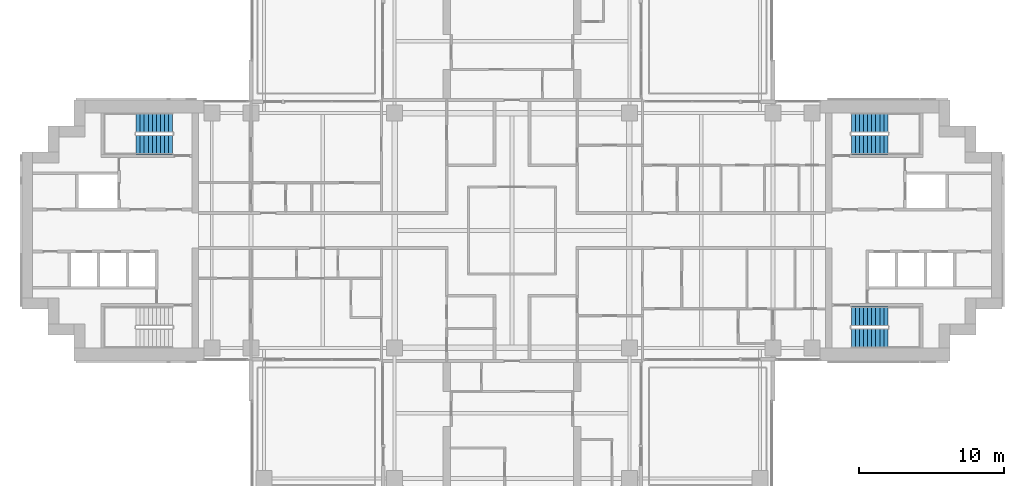
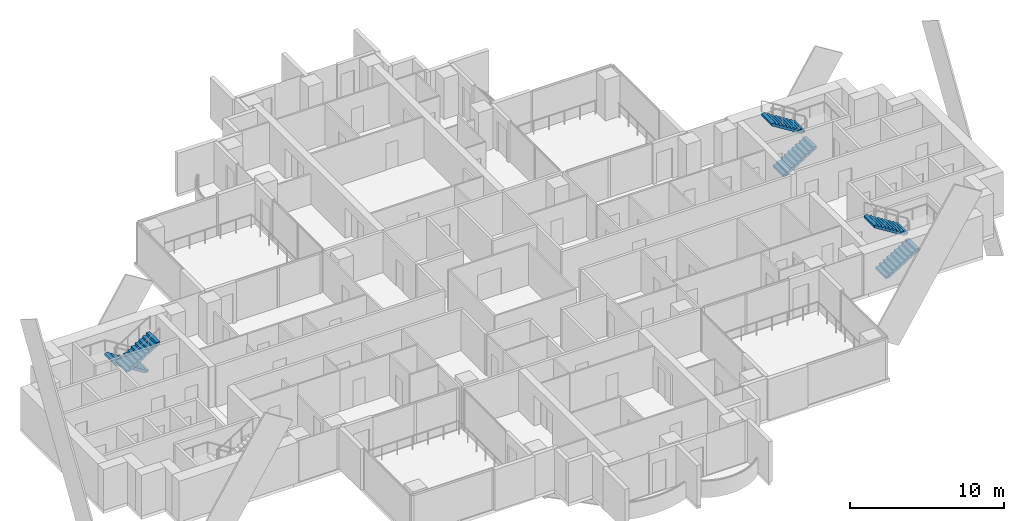
# One storey, part 15 of 19: 6 stair flights, 3 elements without a shape of their own.
"""IFC4 building model written with IfcOpenShell, lengths in metres."""

from ifc_helpers import new_model, si_unit, direction, frame, origin, place, context, subcontext, project, spatial, polyline, outline, extrude, material, type_object, element, aggregate, save


model = new_model("IFC4")

# Units and contexts
model_context = context("Model", 3, precision=1e-05, world=origin(), true_north=direction((0.0, 1.0)))
body_context = subcontext(model_context, "Body", "Model", "MODEL_VIEW")
ifc_project = project(units=[si_unit("LENGTHUNIT", "METRE"), si_unit("AREAUNIT", "SQUARE_METRE"), si_unit("VOLUMEUNIT", "CUBIC_METRE"), si_unit("PLANEANGLEUNIT", "RADIAN"), si_unit("MASSUNIT", "GRAM", prefix="KILO")], contexts=[model_context])

# Site, building, storey
site_placement = place(None, origin())
site = spatial("IfcSite", under=ifc_project, at=site_placement, CompositionType="ELEMENT")
building_placement = place(site_placement, origin())
building = spatial("IfcBuilding", under=site, at=building_placement, Name="Perihelion Cross Residences", CompositionType="ELEMENT")
storey_placement = place(building_placement, frame((0.0, 0.0, 116.39990234375)))
storey = spatial("IfcBuildingStorey", under=building, at=storey_placement, Name="L27", CompositionType="ELEMENT", Elevation=116.39990234375)

# Stair, stair flights
ifc_material_1 = material(Name="Concrete C40/50", Category="concrete")
stair_type = type_object("IfcStairType", Name="Exit stair, half-turn", PredefinedType="HALF_TURN_STAIR", material=ifc_material_1)
stair_1_placement = place(storey_placement, origin())
stair_1 = element("IfcStair", 1, at=stair_1_placement, inside=storey, type_object=stair_type, Name="L27 East core exit stair 1", PredefinedType="HALF_TURN_STAIR")
ifc_material_2 = material(Name="Concrete C40/50", Category="concrete")
stair_flight_type = type_object("IfcStairFlightType", Name="Exit stair flight", PredefinedType="STRAIGHT", material=ifc_material_2)
stair_flight_1_placement = place(storey_placement, frame((23.39990234375, 5.925048828125, 0.0), z_axis=(0.0, 0.0, 1.0), x_axis=(1.0, 0.0, 0.0)))
stair_flight_1 = element("IfcStairFlight", 2, at=stair_flight_1_placement, type_object=stair_flight_type, Name="ST-E1 flight 1", NumberOfRisers=10, NumberOfTreads=9, PredefinedType="STRAIGHT", RiserHeight=0.175, TreadLength=0.28, context=body_context, shape_type="SweptSolid", body=[
    extrude(outline(polyline([(0.0, 0.0), (0.0, 0.175048828125), (0.280029296875, 0.175048828125), (0.280029296875, 0.35009765625), (0.56005859375, 0.35009765625), (0.56005859375, 0.52490234375), (0.840087890625, 0.52490234375), (0.840087890625, 0.699951171875), (1.1201171875, 0.699951171875), (1.1201171875, 0.875), (1.39990234375, 0.875), (1.39990234375, 1.050048828125), (1.679931640625, 1.050048828125), (1.679931640625, 1.22509765625), (1.9599609375, 1.22509765625), (1.9599609375, 1.39990234375), (2.239990234375, 1.39990234375), (2.239990234375, 1.574951171875), (2.52001953125, 1.574951171875), (2.52001953125, 1.75), (2.52001953125, 1.398193359375), (0.28271484375, 0.0), (0.0, 0.0)])), frame((0.0, 0.675048828125, 0.0), z_axis=(0.0, -1.0, 0.0), x_axis=(1.0, 0.0, 0.0)), (0.0, 0.0, 1.0), 1.35009765625),
])
stair_flight_2_placement = place(storey_placement, frame((25.919921875, 7.425048828125, 1.75), z_axis=(0.0, 0.0, 1.0), x_axis=(-1.0, 0.0, 0.0)))
stair_flight_2 = element("IfcStairFlight", 3, at=stair_flight_2_placement, type_object=stair_flight_type, Name="ST-E1 flight 2", NumberOfRisers=10, NumberOfTreads=9, PredefinedType="STRAIGHT", RiserHeight=0.175, TreadLength=0.28, context=body_context, shape_type="SweptSolid", body=[
    extrude(outline(polyline([(0.0, 0.0), (0.0, 0.175048828125), (0.280029296875, 0.175048828125), (0.280029296875, 0.35009765625), (0.56005859375, 0.35009765625), (0.56005859375, 0.52490234375), (0.840087890625, 0.52490234375), (0.840087890625, 0.699951171875), (1.1201171875, 0.699951171875), (1.1201171875, 0.875), (1.39990234375, 0.875), (1.39990234375, 1.050048828125), (1.679931640625, 1.050048828125), (1.679931640625, 1.22509765625), (1.9599609375, 1.22509765625), (1.9599609375, 1.39990234375), (2.239990234375, 1.39990234375), (2.239990234375, 1.574951171875), (2.52001953125, 1.574951171875), (2.52001953125, 1.75), (2.52001953125, 1.398193359375), (0.28271484375, 0.0), (0.0, 0.0)])), frame((0.0, 0.675048828125, 0.0), z_axis=(0.0, -1.0, 0.0), x_axis=(1.0, 0.0, 0.0)), (0.0, 0.0, 1.0), 1.35009765625),
])
aggregate(stair_1, [stair_flight_1, stair_flight_2])

stair_2_placement = place(storey_placement, origin())
stair_2 = element("IfcStair", 4, at=stair_2_placement, inside=storey, type_object=stair_type, Name="L27 East core exit stair 2", PredefinedType="HALF_TURN_STAIR")
stair_flight_3_placement = place(storey_placement, frame((23.39990234375, -7.425048828125, 0.0), z_axis=(0.0, 0.0, 1.0), x_axis=(1.0, 0.0, 0.0)))
stair_flight_3 = element("IfcStairFlight", 5, at=stair_flight_3_placement, type_object=stair_flight_type, Name="ST-E2 flight 1", NumberOfRisers=10, NumberOfTreads=9, PredefinedType="STRAIGHT", RiserHeight=0.175, TreadLength=0.28, context=body_context, shape_type="SweptSolid", body=[
    extrude(outline(polyline([(0.0, 0.0), (0.0, 0.175048828125), (0.280029296875, 0.175048828125), (0.280029296875, 0.35009765625), (0.56005859375, 0.35009765625), (0.56005859375, 0.52490234375), (0.840087890625, 0.52490234375), (0.840087890625, 0.699951171875), (1.1201171875, 0.699951171875), (1.1201171875, 0.875), (1.39990234375, 0.875), (1.39990234375, 1.050048828125), (1.679931640625, 1.050048828125), (1.679931640625, 1.22509765625), (1.9599609375, 1.22509765625), (1.9599609375, 1.39990234375), (2.239990234375, 1.39990234375), (2.239990234375, 1.574951171875), (2.52001953125, 1.574951171875), (2.52001953125, 1.75), (2.52001953125, 1.398193359375), (0.28271484375, 0.0), (0.0, 0.0)])), frame((0.0, 0.675048828125, 0.0), z_axis=(0.0, -1.0, 0.0), x_axis=(1.0, 0.0, 0.0)), (0.0, 0.0, 1.0), 1.35009765625),
])
stair_flight_4_placement = place(storey_placement, frame((25.919921875, -5.925048828125, 1.75), z_axis=(0.0, 0.0, 1.0), x_axis=(-1.0, 0.0, 0.0)))
stair_flight_4 = element("IfcStairFlight", 6, at=stair_flight_4_placement, type_object=stair_flight_type, Name="ST-E2 flight 2", NumberOfRisers=10, NumberOfTreads=9, PredefinedType="STRAIGHT", RiserHeight=0.175, TreadLength=0.28, context=body_context, shape_type="SweptSolid", body=[
    extrude(outline(polyline([(0.0, 0.0), (0.0, 0.175048828125), (0.280029296875, 0.175048828125), (0.280029296875, 0.35009765625), (0.56005859375, 0.35009765625), (0.56005859375, 0.52490234375), (0.840087890625, 0.52490234375), (0.840087890625, 0.699951171875), (1.1201171875, 0.699951171875), (1.1201171875, 0.875), (1.39990234375, 0.875), (1.39990234375, 1.050048828125), (1.679931640625, 1.050048828125), (1.679931640625, 1.22509765625), (1.9599609375, 1.22509765625), (1.9599609375, 1.39990234375), (2.239990234375, 1.39990234375), (2.239990234375, 1.574951171875), (2.52001953125, 1.574951171875), (2.52001953125, 1.75), (2.52001953125, 1.398193359375), (0.28271484375, 0.0), (0.0, 0.0)])), frame((0.0, 0.675048828125, 0.0), z_axis=(0.0, -1.0, 0.0), x_axis=(1.0, 0.0, 0.0)), (0.0, 0.0, 1.0), 1.35009765625),
])
aggregate(stair_2, [stair_flight_3, stair_flight_4])

stair_3_placement = place(storey_placement, origin())
stair_3 = element("IfcStair", 7, at=stair_3_placement, inside=storey, type_object=stair_type, Name="L27 West core exit stair 1", PredefinedType="HALF_TURN_STAIR")
stair_flight_5_placement = place(storey_placement, frame((-23.39990234375, 7.425048828125, 0.0), z_axis=(0.0, 0.0, 1.0), x_axis=(-1.0, 0.0, 0.0)))
stair_flight_5 = element("IfcStairFlight", 8, at=stair_flight_5_placement, type_object=stair_flight_type, Name="ST-W1 flight 1", NumberOfRisers=10, NumberOfTreads=9, PredefinedType="STRAIGHT", RiserHeight=0.175, TreadLength=0.28, context=body_context, shape_type="SweptSolid", body=[
    extrude(outline(polyline([(0.0, 0.0), (0.0, 0.175048828125), (0.280029296875, 0.175048828125), (0.280029296875, 0.35009765625), (0.56005859375, 0.35009765625), (0.56005859375, 0.52490234375), (0.840087890625, 0.52490234375), (0.840087890625, 0.699951171875), (1.1201171875, 0.699951171875), (1.1201171875, 0.875), (1.39990234375, 0.875), (1.39990234375, 1.050048828125), (1.679931640625, 1.050048828125), (1.679931640625, 1.22509765625), (1.9599609375, 1.22509765625), (1.9599609375, 1.39990234375), (2.239990234375, 1.39990234375), (2.239990234375, 1.574951171875), (2.52001953125, 1.574951171875), (2.52001953125, 1.75), (2.52001953125, 1.398193359375), (0.28271484375, 0.0), (0.0, 0.0)])), frame((0.0, 0.675048828125, 0.0), z_axis=(0.0, -1.0, 0.0), x_axis=(1.0, 0.0, 0.0)), (0.0, 0.0, 1.0), 1.35009765625),
])
stair_flight_6_placement = place(storey_placement, frame((-25.919921875, 5.925048828125, 1.75), z_axis=(0.0, 0.0, 1.0), x_axis=(1.0, 0.0, 0.0)))
stair_flight_6 = element("IfcStairFlight", 9, at=stair_flight_6_placement, type_object=stair_flight_type, Name="ST-W1 flight 2", NumberOfRisers=10, NumberOfTreads=9, PredefinedType="STRAIGHT", RiserHeight=0.175, TreadLength=0.28, context=body_context, shape_type="SweptSolid", body=[
    extrude(outline(polyline([(0.0, 0.0), (0.0, 0.175048828125), (0.280029296875, 0.175048828125), (0.280029296875, 0.35009765625), (0.56005859375, 0.35009765625), (0.56005859375, 0.52490234375), (0.840087890625, 0.52490234375), (0.840087890625, 0.699951171875), (1.1201171875, 0.699951171875), (1.1201171875, 0.875), (1.39990234375, 0.875), (1.39990234375, 1.050048828125), (1.679931640625, 1.050048828125), (1.679931640625, 1.22509765625), (1.9599609375, 1.22509765625), (1.9599609375, 1.39990234375), (2.239990234375, 1.39990234375), (2.239990234375, 1.574951171875), (2.52001953125, 1.574951171875), (2.52001953125, 1.75), (2.52001953125, 1.398193359375), (0.28271484375, 0.0), (0.0, 0.0)])), frame((0.0, 0.675048828125, 0.0), z_axis=(0.0, -1.0, 0.0), x_axis=(1.0, 0.0, 0.0)), (0.0, 0.0, 1.0), 1.35009765625),
])
aggregate(stair_3, [stair_flight_5, stair_flight_6])

save(model, "model.ifc")
